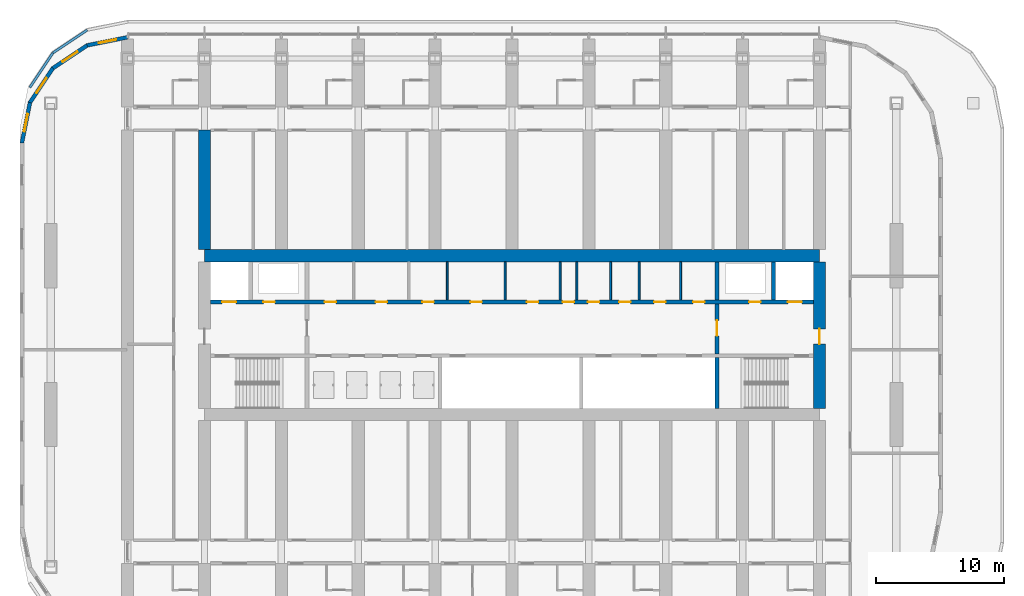
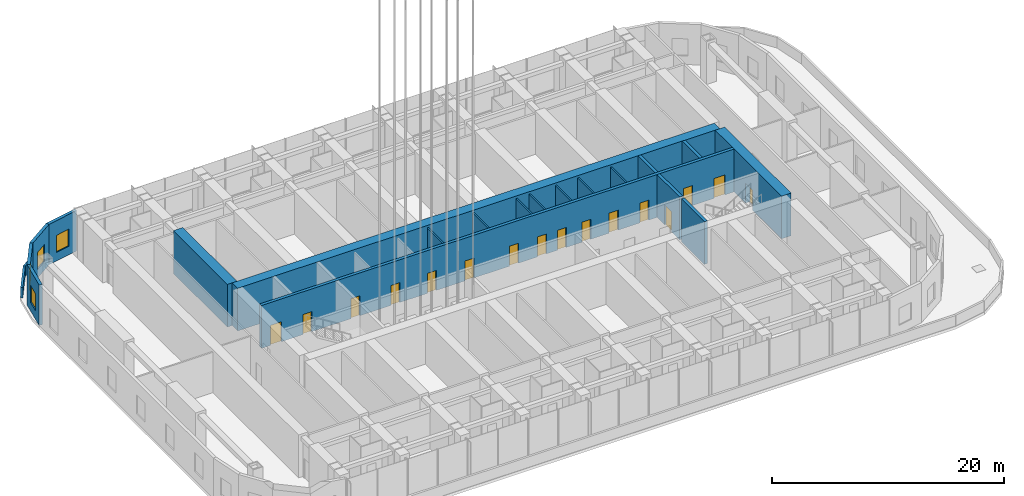
# One storey, part 12 of 31: 21 walls, 16 doors, 4 windows, 20 openings.
"""IFC4 building model written with IfcOpenShell, lengths in metres."""

from ifc_helpers import new_model, si_unit, direction, frame, frame_2d, origin, place, context, subcontext, project, spatial, polyline, rectangle, outline, extrude, material, layer, layer_set, type_object, element, fill, save


model = new_model("IFC4")

# Units and contexts
model_context = context("Model", 3, precision=1e-05, world=origin(), true_north=direction((0.0, 1.0)))
body_context = subcontext(model_context, "Body", "Model", "MODEL_VIEW")
ifc_project = project(units=[si_unit("LENGTHUNIT", "METRE"), si_unit("AREAUNIT", "SQUARE_METRE"), si_unit("VOLUMEUNIT", "CUBIC_METRE"), si_unit("PLANEANGLEUNIT", "RADIAN"), si_unit("MASSUNIT", "GRAM", prefix="KILO")], contexts=[model_context])

# Site, building, storey
site_placement = place(None, origin())
site = spatial("IfcSite", under=ifc_project, at=site_placement, CompositionType="ELEMENT")
building_placement = place(site_placement, origin())
building = spatial("IfcBuilding", under=site, at=building_placement, Name="Orbita Commons", CompositionType="ELEMENT")
storey_placement = place(building_placement, frame((0.0, 0.0, 76.14990234375)))
storey = spatial("IfcBuildingStorey", under=building, at=storey_placement, Name="L18", CompositionType="ELEMENT", Elevation=76.14990234375)

# Wall, openings, doors
ifc_material_1 = material(Name="Concrete C50/60", Category="concrete")
ifc_layer_1 = layer(ifc_material_1, 0.300048828125)
ifc_layer_set_1 = layer_set([ifc_layer_1], Name="Concrete C50/60")
wall_type_1 = type_object("IfcWallType", Name="Core inner wall 300 C50/60", PredefinedType="SHEAR", material=ifc_layer_set_1)
wall_1_placement = place(storey_placement, frame((18.47509765625, 34.60009765625, 0.0), z_axis=(0.0, 0.0, 1.0), x_axis=(1.0, 0.0, 0.0)))
wall_1 = element("IfcWall", 1, at=wall_1_placement, inside=storey, type_object=wall_type_1, Name="Lobby wall north L18", PredefinedType="SHEAR", context=body_context, shape_type="SweptSolid", body=[
    extrude(rectangle(XDim=47.0498046875, YDim=0.300048828125, at=frame_2d((23.52490234375, 0.0))), origin(), (0.0, 0.0, 1.0), 4.5),
])
opening_1_placement = place(wall_1_placement, frame((0.89990234375, 0.0, 0.0)))
opening_1 = element("IfcOpeningElement", 2, at=opening_1_placement, cuts=wall_1, Name="Opening LD01", PredefinedType="OPENING", context=body_context, shape_type="SweptSolid", body=[
    extrude(rectangle(XDim=1.10009765625, YDim=2.10009765625, at=frame_2d((0.550048828125, 1.050048828125))), frame((0.0, 0.159912109375, 0.0), z_axis=(0.0, -1.0, 0.0), x_axis=(1.0, 0.0, 0.0)), (0.0, 0.0, 1.0), 0.320068359375),
])
opening_2_placement = place(wall_1_placement, frame((45.050048828125, 0.0, 0.0)))
opening_2 = element("IfcOpeningElement", 3, at=opening_2_placement, cuts=wall_1, Name="Opening LD01", PredefinedType="OPENING", context=body_context, shape_type="SweptSolid", body=[
    extrude(rectangle(XDim=1.10009765625, YDim=2.10009765625, at=frame_2d((0.550048828125, 1.050048828125))), frame((0.0, 0.159912109375, 0.0), z_axis=(0.0, -1.0, 0.0), x_axis=(1.0, 0.0, 0.0)), (0.0, 0.0, 1.0), 0.320068359375),
])
opening_3_placement = place(wall_1_placement, frame((4.125, 0.0, 0.0)))
opening_3 = element("IfcOpeningElement", 4, at=opening_3_placement, cuts=wall_1, Name="Opening D03", PredefinedType="OPENING", context=body_context, shape_type="SweptSolid", body=[
    extrude(rectangle(XDim=0.89990234375, YDim=2.10009765625, at=frame_2d((0.449951171875, 1.050048828125))), frame((0.0, 0.159912109375, 0.0), z_axis=(0.0, -1.0, 0.0), x_axis=(1.0, 0.0, 0.0)), (0.0, 0.0, 1.0), 0.320068359375),
])
opening_4_placement = place(wall_1_placement, frame((42.02490234375, 0.0, 0.0)))
opening_4 = element("IfcOpeningElement", 5, at=opening_4_placement, cuts=wall_1, Name="Opening D03", PredefinedType="OPENING", context=body_context, shape_type="SweptSolid", body=[
    extrude(rectangle(XDim=0.89990234375, YDim=2.10009765625, at=frame_2d((0.449951171875, 1.050048828125))), frame((0.0, 0.159912109375, 0.0), z_axis=(0.0, -1.0, 0.0), x_axis=(1.0, 0.0, 0.0)), (0.0, 0.0, 1.0), 0.320068359375),
])
opening_5_placement = place(wall_1_placement, frame((8.900390625, 0.0, 0.0)))
opening_5 = element("IfcOpeningElement", 6, at=opening_5_placement, cuts=wall_1, Name="Opening D03", PredefinedType="OPENING", context=body_context, shape_type="SweptSolid", body=[
    extrude(rectangle(XDim=0.89990234375, YDim=2.10009765625, at=frame_2d((0.449951171875, 1.050048828125))), frame((0.0, 0.159912109375, 0.0), z_axis=(0.0, -1.0, 0.0), x_axis=(1.0, 0.0, 0.0)), (0.0, 0.0, 1.0), 0.320068359375),
])
opening_6_placement = place(wall_1_placement, frame((12.873779296875, 0.0, 0.0)))
opening_6 = element("IfcOpeningElement", 7, at=opening_6_placement, cuts=wall_1, Name="Opening D03", PredefinedType="OPENING", context=body_context, shape_type="SweptSolid", body=[
    extrude(rectangle(XDim=0.89990234375, YDim=2.10009765625, at=frame_2d((0.449951171875, 1.050048828125))), frame((0.0, 0.159912109375, 0.0), z_axis=(0.0, -1.0, 0.0), x_axis=(1.0, 0.0, 0.0)), (0.0, 0.0, 1.0), 0.320068359375),
])
opening_7_placement = place(wall_1_placement, frame((16.521240234375, 0.0, 0.0)))
opening_7 = element("IfcOpeningElement", 8, at=opening_7_placement, cuts=wall_1, Name="Opening D03", PredefinedType="OPENING", context=body_context, shape_type="SweptSolid", body=[
    extrude(rectangle(XDim=0.89990234375, YDim=2.10009765625, at=frame_2d((0.449951171875, 1.050048828125))), frame((0.0, 0.159912109375, 0.0), z_axis=(0.0, -1.0, 0.0), x_axis=(1.0, 0.0, 0.0)), (0.0, 0.0, 1.0), 0.320068359375),
])
opening_8_placement = place(wall_1_placement, frame((20.27978515625, 0.0, 0.0)))
opening_8 = element("IfcOpeningElement", 9, at=opening_8_placement, cuts=wall_1, Name="Opening D03", PredefinedType="OPENING", context=body_context, shape_type="SweptSolid", body=[
    extrude(rectangle(XDim=0.89990234375, YDim=2.10009765625, at=frame_2d((0.449951171875, 1.050048828125))), frame((0.0, 0.159912109375, 0.0), z_axis=(0.0, -1.0, 0.0), x_axis=(1.0, 0.0, 0.0)), (0.0, 0.0, 1.0), 0.320068359375),
])
opening_9_placement = place(wall_1_placement, frame((24.685791015625, 0.0, 0.0)))
opening_9 = element("IfcOpeningElement", 10, at=opening_9_placement, cuts=wall_1, Name="Opening D03", PredefinedType="OPENING", context=body_context, shape_type="SweptSolid", body=[
    extrude(rectangle(XDim=0.89990234375, YDim=2.10009765625, at=frame_2d((0.449951171875, 1.050048828125))), frame((0.0, 0.159912109375, 0.0), z_axis=(0.0, -1.0, 0.0), x_axis=(1.0, 0.0, 0.0)), (0.0, 0.0, 1.0), 0.320068359375),
])
opening_10_placement = place(wall_1_placement, frame((27.4833984375, 0.0, 0.0)))
opening_10 = element("IfcOpeningElement", 11, at=opening_10_placement, cuts=wall_1, Name="Opening D03", PredefinedType="OPENING", context=body_context, shape_type="SweptSolid", body=[
    extrude(rectangle(XDim=0.89990234375, YDim=2.10009765625, at=frame_2d((0.449951171875, 1.050048828125))), frame((0.0, 0.159912109375, 0.0), z_axis=(0.0, -1.0, 0.0), x_axis=(1.0, 0.0, 0.0)), (0.0, 0.0, 1.0), 0.320068359375),
])
opening_11_placement = place(wall_1_placement, frame((29.450439453125, 0.0, 0.0)))
opening_11 = element("IfcOpeningElement", 12, at=opening_11_placement, cuts=wall_1, Name="Opening D05", PredefinedType="OPENING", context=body_context, shape_type="SweptSolid", body=[
    extrude(rectangle(XDim=0.89990234375, YDim=2.10009765625, at=frame_2d((0.449951171875, 1.050048828125))), frame((0.0, 0.159912109375, 0.0), z_axis=(0.0, -1.0, 0.0), x_axis=(1.0, 0.0, 0.0)), (0.0, 0.0, 1.0), 0.320068359375),
])
opening_12_placement = place(wall_1_placement, frame((31.8818359375, 0.0, 0.0)))
opening_12 = element("IfcOpeningElement", 13, at=opening_12_placement, cuts=wall_1, Name="Opening D05", PredefinedType="OPENING", context=body_context, shape_type="SweptSolid", body=[
    extrude(rectangle(XDim=0.89990234375, YDim=2.10009765625, at=frame_2d((0.449951171875, 1.050048828125))), frame((0.0, 0.159912109375, 0.0), z_axis=(0.0, -1.0, 0.0), x_axis=(1.0, 0.0, 0.0)), (0.0, 0.0, 1.0), 0.320068359375),
])
opening_13_placement = place(wall_1_placement, frame((34.6171875, 0.0, 0.0)))
opening_13 = element("IfcOpeningElement", 14, at=opening_13_placement, cuts=wall_1, Name="Opening D05", PredefinedType="OPENING", context=body_context, shape_type="SweptSolid", body=[
    extrude(rectangle(XDim=0.89990234375, YDim=2.10009765625, at=frame_2d((0.449951171875, 1.050048828125))), frame((0.0, 0.159912109375, 0.0), z_axis=(0.0, -1.0, 0.0), x_axis=(1.0, 0.0, 0.0)), (0.0, 0.0, 1.0), 0.320068359375),
])
opening_14_placement = place(wall_1_placement, frame((37.656494140625, 0.0, 0.0)))
opening_14 = element("IfcOpeningElement", 15, at=opening_14_placement, cuts=wall_1, Name="Opening D03", PredefinedType="OPENING", context=body_context, shape_type="SweptSolid", body=[
    extrude(rectangle(XDim=0.89990234375, YDim=2.10009765625, at=frame_2d((0.449951171875, 1.050048828125))), frame((0.0, 0.159912109375, 0.0), z_axis=(0.0, -1.0, 0.0), x_axis=(1.0, 0.0, 0.0)), (0.0, 0.0, 1.0), 0.320068359375),
])
ifc_material_2 = material(Name="Steel-faced fire door leaf", Category="steel")
door_type_1 = type_object("IfcDoorType", Name="Firefighting lift landing door 1100x2100", OperationType="DOUBLE_DOOR_SLIDING", PredefinedType="DOOR", material=ifc_material_2)
door_1_placement = place(opening_1_placement, origin())
door_1 = element("IfcDoor", 16, at=door_1_placement, inside=storey, type_object=door_type_1, Name="Firefighting lift FL1 landing door", OperationType="DOUBLE_DOOR_SLIDING", OverallHeight=2.10009765625, OverallWidth=1.10009765625, PredefinedType="DOOR", context=body_context, shape_type="SweptSolid", body=[
    extrude(rectangle(XDim=1.10009765625, YDim=2.10009765625, at=frame_2d((0.550048828125, 1.050048828125))), frame((0.0, 0.02490234375, 0.0), z_axis=(0.0, -1.0, 0.0), x_axis=(1.0, 0.0, 0.0)), (0.0, 0.0, 1.0), 0.050048828125),
])
fill(opening_1, door_1)
door_2_placement = place(opening_2_placement, origin())
door_2 = element("IfcDoor", 17, at=door_2_placement, inside=storey, type_object=door_type_1, Name="Firefighting lift FL2 landing door", OperationType="DOUBLE_DOOR_SLIDING", OverallHeight=2.10009765625, OverallWidth=1.10009765625, PredefinedType="DOOR", context=body_context, shape_type="SweptSolid", body=[
    extrude(rectangle(XDim=1.10009765625, YDim=2.10009765625, at=frame_2d((0.550048828125, 1.050048828125))), frame((0.0, 0.02490234375, 0.0), z_axis=(0.0, -1.0, 0.0), x_axis=(1.0, 0.0, 0.0)), (0.0, 0.0, 1.0), 0.050048828125),
])
fill(opening_2, door_2)
ifc_material_3 = material(Name="Steel-faced fire door leaf", Category="steel")
door_type_2 = type_object("IfcDoorType", Name="Service door 20 min 900x2100", OperationType="SINGLE_SWING_LEFT", PredefinedType="DOOR", material=ifc_material_3)
door_3_placement = place(opening_11_placement, origin())
door_3 = element("IfcDoor", 18, at=door_3_placement, inside=storey, type_object=door_type_2, Name="Accessible WC door", OperationType="SINGLE_SWING_LEFT", OverallHeight=2.10009765625, OverallWidth=0.89990234375, PredefinedType="DOOR", context=body_context, shape_type="SweptSolid", body=[
    extrude(rectangle(XDim=0.89990234375, YDim=2.10009765625, at=frame_2d((0.449951171875, 1.050048828125))), frame((0.0, 0.02490234375, 0.0), z_axis=(0.0, -1.0, 0.0), x_axis=(1.0, 0.0, 0.0)), (0.0, 0.0, 1.0), 0.050048828125),
])
fill(opening_11, door_3)
door_4_placement = place(opening_12_placement, origin())
door_4 = element("IfcDoor", 19, at=door_4_placement, inside=storey, type_object=door_type_2, Name="Staff WC door", OperationType="SINGLE_SWING_LEFT", OverallHeight=2.10009765625, OverallWidth=0.89990234375, PredefinedType="DOOR", context=body_context, shape_type="SweptSolid", body=[
    extrude(rectangle(XDim=0.89990234375, YDim=2.10009765625, at=frame_2d((0.449951171875, 1.050048828125))), frame((0.0, 0.02490234375, 0.0), z_axis=(0.0, -1.0, 0.0), x_axis=(1.0, 0.0, 0.0)), (0.0, 0.0, 1.0), 0.050048828125),
])
fill(opening_12, door_4)
door_5_placement = place(opening_13_placement, origin())
door_5 = element("IfcDoor", 20, at=door_5_placement, inside=storey, type_object=door_type_2, Name="Guest pantry door", OperationType="SINGLE_SWING_LEFT", OverallHeight=2.10009765625, OverallWidth=0.89990234375, PredefinedType="DOOR", context=body_context, shape_type="SweptSolid", body=[
    extrude(rectangle(XDim=0.89990234375, YDim=2.10009765625, at=frame_2d((0.449951171875, 1.050048828125))), frame((0.0, 0.02490234375, 0.0), z_axis=(0.0, -1.0, 0.0), x_axis=(1.0, 0.0, 0.0)), (0.0, 0.0, 1.0), 0.050048828125),
])
fill(opening_13, door_5)
ifc_material_4 = material(Name="Steel-faced fire door leaf", Category="steel")
door_type_3 = type_object("IfcDoorType", Name="Shaft access door 90 min 900x2100", OperationType="SINGLE_SWING_LEFT", PredefinedType="DOOR", material=ifc_material_4)
door_6_placement = place(opening_3_placement, origin())
door_6 = element("IfcDoor", 21, at=door_6_placement, inside=storey, type_object=door_type_3, Name="Riser door west", OperationType="SINGLE_SWING_LEFT", OverallHeight=2.10009765625, OverallWidth=0.89990234375, PredefinedType="DOOR", context=body_context, shape_type="SweptSolid", body=[
    extrude(rectangle(XDim=0.89990234375, YDim=2.10009765625, at=frame_2d((0.449951171875, 1.050048828125))), frame((0.0, 0.02490234375, 0.0), z_axis=(0.0, -1.0, 0.0), x_axis=(1.0, 0.0, 0.0)), (0.0, 0.0, 1.0), 0.050048828125),
])
fill(opening_3, door_6)
door_7_placement = place(opening_4_placement, origin())
door_7 = element("IfcDoor", 22, at=door_7_placement, inside=storey, type_object=door_type_3, Name="Riser door east", OperationType="SINGLE_SWING_LEFT", OverallHeight=2.10009765625, OverallWidth=0.89990234375, PredefinedType="DOOR", context=body_context, shape_type="SweptSolid", body=[
    extrude(rectangle(XDim=0.89990234375, YDim=2.10009765625, at=frame_2d((0.449951171875, 1.050048828125))), frame((0.0, 0.02490234375, 0.0), z_axis=(0.0, -1.0, 0.0), x_axis=(1.0, 0.0, 0.0)), (0.0, 0.0, 1.0), 0.050048828125),
])
fill(opening_4, door_7)
door_8_placement = place(opening_5_placement, origin())
door_8 = element("IfcDoor", 23, at=door_8_placement, inside=storey, type_object=door_type_3, Name="Cleaners store door", OperationType="SINGLE_SWING_LEFT", OverallHeight=2.10009765625, OverallWidth=0.89990234375, PredefinedType="DOOR", context=body_context, shape_type="SweptSolid", body=[
    extrude(rectangle(XDim=0.89990234375, YDim=2.10009765625, at=frame_2d((0.449951171875, 1.050048828125))), frame((0.0, 0.02490234375, 0.0), z_axis=(0.0, -1.0, 0.0), x_axis=(1.0, 0.0, 0.0)), (0.0, 0.0, 1.0), 0.050048828125),
])
fill(opening_5, door_8)
door_9_placement = place(opening_6_placement, origin())
door_9 = element("IfcDoor", 24, at=door_9_placement, inside=storey, type_object=door_type_3, Name="Refuse chute room door", OperationType="SINGLE_SWING_LEFT", OverallHeight=2.10009765625, OverallWidth=0.89990234375, PredefinedType="DOOR", context=body_context, shape_type="SweptSolid", body=[
    extrude(rectangle(XDim=0.89990234375, YDim=2.10009765625, at=frame_2d((0.449951171875, 1.050048828125))), frame((0.0, 0.02490234375, 0.0), z_axis=(0.0, -1.0, 0.0), x_axis=(1.0, 0.0, 0.0)), (0.0, 0.0, 1.0), 0.050048828125),
])
fill(opening_6, door_9)
door_10_placement = place(opening_7_placement, origin())
door_10 = element("IfcDoor", 25, at=door_10_placement, inside=storey, type_object=door_type_3, Name="Electrical riser room door", OperationType="SINGLE_SWING_LEFT", OverallHeight=2.10009765625, OverallWidth=0.89990234375, PredefinedType="DOOR", context=body_context, shape_type="SweptSolid", body=[
    extrude(rectangle(XDim=0.89990234375, YDim=2.10009765625, at=frame_2d((0.449951171875, 1.050048828125))), frame((0.0, 0.02490234375, 0.0), z_axis=(0.0, -1.0, 0.0), x_axis=(1.0, 0.0, 0.0)), (0.0, 0.0, 1.0), 0.050048828125),
])
fill(opening_7, door_10)
door_11_placement = place(opening_8_placement, origin())
door_11 = element("IfcDoor", 26, at=door_11_placement, inside=storey, type_object=door_type_3, Name="IT room door", OperationType="SINGLE_SWING_LEFT", OverallHeight=2.10009765625, OverallWidth=0.89990234375, PredefinedType="DOOR", context=body_context, shape_type="SweptSolid", body=[
    extrude(rectangle(XDim=0.89990234375, YDim=2.10009765625, at=frame_2d((0.449951171875, 1.050048828125))), frame((0.0, 0.02490234375, 0.0), z_axis=(0.0, -1.0, 0.0), x_axis=(1.0, 0.0, 0.0)), (0.0, 0.0, 1.0), 0.050048828125),
])
fill(opening_8, door_11)
door_12_placement = place(opening_9_placement, origin())
door_12 = element("IfcDoor", 27, at=door_12_placement, inside=storey, type_object=door_type_3, Name="Communications room door", OperationType="SINGLE_SWING_LEFT", OverallHeight=2.10009765625, OverallWidth=0.89990234375, PredefinedType="DOOR", context=body_context, shape_type="SweptSolid", body=[
    extrude(rectangle(XDim=0.89990234375, YDim=2.10009765625, at=frame_2d((0.449951171875, 1.050048828125))), frame((0.0, 0.02490234375, 0.0), z_axis=(0.0, -1.0, 0.0), x_axis=(1.0, 0.0, 0.0)), (0.0, 0.0, 1.0), 0.050048828125),
])
fill(opening_9, door_12)
door_13_placement = place(opening_10_placement, origin())
door_13 = element("IfcDoor", 28, at=door_13_placement, inside=storey, type_object=door_type_3, Name="Stair pressurisation duct door", OperationType="SINGLE_SWING_LEFT", OverallHeight=2.10009765625, OverallWidth=0.89990234375, PredefinedType="DOOR", context=body_context, shape_type="SweptSolid", body=[
    extrude(rectangle(XDim=0.89990234375, YDim=2.10009765625, at=frame_2d((0.449951171875, 1.050048828125))), frame((0.0, 0.02490234375, 0.0), z_axis=(0.0, -1.0, 0.0), x_axis=(1.0, 0.0, 0.0)), (0.0, 0.0, 1.0), 0.050048828125),
])
fill(opening_10, door_13)
door_14_placement = place(opening_14_placement, origin())
door_14 = element("IfcDoor", 29, at=door_14_placement, inside=storey, type_object=door_type_3, Name="Linen store door", OperationType="SINGLE_SWING_LEFT", OverallHeight=2.10009765625, OverallWidth=0.89990234375, PredefinedType="DOOR", context=body_context, shape_type="SweptSolid", body=[
    extrude(rectangle(XDim=0.89990234375, YDim=2.10009765625, at=frame_2d((0.449951171875, 1.050048828125))), frame((0.0, 0.02490234375, 0.0), z_axis=(0.0, -1.0, 0.0), x_axis=(1.0, 0.0, 0.0)), (0.0, 0.0, 1.0), 0.050048828125),
])
fill(opening_14, door_14)

# Wall
wall_2_placement = place(storey_placement, frame((58.0, 26.27490234375, 0.0), z_axis=(0.0, 0.0, 1.0), x_axis=(0.0, 1.0, 0.0)))
element("IfcWall", 30, at=wall_2_placement, inside=storey, type_object=wall_type_1, Name="Stair S2 wall L18", PredefinedType="SHEAR", context=body_context, shape_type="SweptSolid", body=[
    extrude(rectangle(XDim=3.97509765625, YDim=0.300048828125, at=frame_2d((1.987548828125, 0.0))), origin(), (0.0, 0.0, 1.0), 4.5),
])

# Wall, opening, door
wall_3_placement = place(storey_placement, frame((58.0, 30.550048828125, 0.0), z_axis=(0.0, 0.0, 1.0), x_axis=(0.0, 1.0, 0.0)))
wall_3 = element("IfcWall", 31, at=wall_3_placement, inside=storey, type_object=wall_type_1, Name="Firefighting lobby wall east L18", PredefinedType="SHEAR", context=body_context, shape_type="SweptSolid", body=[
    extrude(rectangle(XDim=3.89990234375, YDim=0.300048828125, at=frame_2d((1.949951171875, 0.0))), origin(), (0.0, 0.0, 1.0), 4.5),
])
opening_15_placement = place(wall_3_placement, frame((1.39990234375, 0.0, 0.0)))
opening_15 = element("IfcOpeningElement", 32, at=opening_15_placement, cuts=wall_3, Name="Opening D04", PredefinedType="OPENING", context=body_context, shape_type="SweptSolid", body=[
    extrude(rectangle(XDim=1.199951171875, YDim=2.10009765625, at=frame_2d((0.60009765625, 1.050048828125))), frame((0.0, 0.159912109375, 0.0), z_axis=(0.0, -1.0, 0.0), x_axis=(1.0, 0.0, 0.0)), (0.0, 0.0, 1.0), 0.320068359375),
])
ifc_material_5 = material(Name="Steel-faced fire door leaf", Category="steel")
door_type_4 = type_object("IfcDoorType", Name="Service door 20 min 1200x2100", OperationType="SINGLE_SWING_LEFT", PredefinedType="DOOR", material=ifc_material_5)
door_15_placement = place(opening_15_placement, origin())
door_15 = element("IfcDoor", 33, at=door_15_placement, inside=storey, type_object=door_type_4, Name="Lift lobby door east", OperationType="SINGLE_SWING_LEFT", OverallHeight=2.10009765625, OverallWidth=1.199951171875, PredefinedType="DOOR", context=body_context, shape_type="SweptSolid", body=[
    extrude(rectangle(XDim=1.199951171875, YDim=2.10009765625, at=frame_2d((0.60009765625, 1.050048828125))), frame((0.0, 0.02490234375, 0.0), z_axis=(0.0, -1.0, 0.0), x_axis=(1.0, 0.0, 0.0)), (0.0, 0.0, 1.0), 0.050048828125),
])
fill(opening_15, door_15)

# Walls
for number, where, z_axis, x_axis, name in (
    (34, (62.39990234375, 34.75, 0.0), (0.0, 0.0, 1.0), (0.0, 1.0, 0.0), "Firefighting lift FL2 shaft wall L18"),
    (35, (58.0, 34.75, 0.0), (0.0, 0.0, 1.0), (0.0, 1.0, 0.0), "Riser wall east L18"),
):
    element("IfcWall", number, at=place(storey_placement, frame(where, z_axis=z_axis, x_axis=x_axis)), inside=storey, type_object=wall_type_1, Name=name, PredefinedType="SHEAR", context=body_context, shape_type="SweptSolid", body=[
        extrude(rectangle(XDim=2.97509765625, YDim=0.300048828125, at=frame_2d((1.487548828125, 0.0))), origin(), (0.0, 0.0, 1.0), 4.5),
    ])
ifc_material_6 = material(Name="Concrete blockwork", Category="masonry")
ifc_layer_2 = layer(ifc_material_6, 0.14990234375)
ifc_layer_set_2 = layer_set([ifc_layer_2], Name="Concrete blockwork")
wall_type_2 = type_object("IfcWallType", Name="Core partition 150 blockwork", PredefinedType="SOLIDWALL", material=ifc_layer_set_2)
for number, where, z_axis, x_axis, name in (
    (36, (36.9462890625, 34.75, 0.0), (0.0, 0.0, 1.0), (0.0, 1.0, 0.0), "Core partition 150 blockwork L18"),
    (37, (41.463134765625, 34.75, 0.0), (0.0, 0.0, 1.0), (0.0, 1.0, 0.0), "Core partition 150 blockwork L18"),
    (38, (45.75830078125, 34.75, 0.0), (0.0, 0.0, 1.0), (0.0, 1.0, 0.0), "Core partition 150 blockwork L18"),
    (39, (47.058349609375, 34.75, 0.0), (0.0, 0.0, 1.0), (0.0, 1.0, 0.0), "Core partition 150 blockwork L18"),
    (40, (49.6923828125, 34.75, 0.0), (0.0, 0.0, 1.0), (0.0, 1.0, 0.0), "Core partition 150 blockwork L18"),
    (41, (51.92138671875, 34.75, 0.0), (0.0, 0.0, 1.0), (0.0, 1.0, 0.0), "Core partition 150 blockwork L18"),
    (42, (55.163330078125, 34.75, 0.0), (0.0, 0.0, 1.0), (0.0, 1.0, 0.0), "Core partition 150 blockwork L18"),
):
    element("IfcWall", number, at=place(storey_placement, frame(where, z_axis=z_axis, x_axis=x_axis)), inside=storey, type_object=wall_type_2, Name=name, PredefinedType="SOLIDWALL", context=body_context, shape_type="SweptSolid", body=[
        extrude(rectangle(XDim=2.97509765625, YDim=0.14990234375, at=frame_2d((1.487548828125, 0.0))), origin(), (0.0, 0.0, 1.0), 4.25),
    ])
ifc_material_7 = material(Name="Concrete C50/60", Category="concrete")
ifc_layer_3 = layer(ifc_material_7, 0.949951171875)
ifc_layer_set_3 = layer_set([ifc_layer_3], Name="Concrete C50/60")
wall_type_3 = type_object("IfcWallType", Name="Core wall 950 C50/60", PredefinedType="SHEAR", material=ifc_layer_set_3)
wall_4_placement = place(storey_placement, frame((18.0, 38.199951171875, 0.0), z_axis=(0.0, 0.0, 1.0), x_axis=(1.0, 0.0, 0.0)))
element("IfcWall", 43, at=wall_4_placement, inside=storey, type_object=wall_type_3, Name="Core spine wall north L18", PredefinedType="SHEAR", context=body_context, shape_type="SweptSolid", body=[
    extrude(rectangle(XDim=48.0, YDim=0.949951171875, at=frame_2d((24.0, 0.0))), origin(), (0.0, 0.0, 1.0), 4.5),
])

# Wall, opening, door
wall_5_placement = place(storey_placement, frame((66.0, 26.27490234375, 0.0), z_axis=(0.0, 0.0, 1.0), x_axis=(0.0, 1.0, 0.0)))
wall_5 = element("IfcWall", 44, at=wall_5_placement, inside=storey, type_object=wall_type_3, Name="Core end wall east L18", PredefinedType="SHEAR", context=body_context, shape_type="SweptSolid", body=[
    extrude(rectangle(XDim=11.4501953125, YDim=0.949951171875, at=frame_2d((5.72509765625, 0.0))), origin(), (0.0, 0.0, 1.0), 4.5),
])
opening_16_placement = place(wall_5_placement, frame((5.02490234375, 0.0, 0.0)))
opening_16 = element("IfcOpeningElement", 45, at=opening_16_placement, cuts=wall_5, Name="Opening D01", PredefinedType="OPENING", context=body_context, shape_type="SweptSolid", body=[
    extrude(rectangle(XDim=1.199951171875, YDim=2.10009765625, at=frame_2d((0.60009765625, 1.050048828125))), frame((0.0, 0.48486328125, 0.0), z_axis=(0.0, -1.0, 0.0), x_axis=(1.0, 0.0, 0.0)), (0.0, 0.0, 1.0), 0.969970703125),
])
ifc_material_8 = material(Name="Steel-faced fire door leaf", Category="steel")
door_type_5 = type_object("IfcDoorType", Name="Fire door 90 min 1200x2100", OperationType="SINGLE_SWING_LEFT", PredefinedType="DOOR", material=ifc_material_8)
door_16_placement = place(opening_16_placement, origin())
door_16 = element("IfcDoor", 46, at=door_16_placement, inside=storey, type_object=door_type_5, Name="Firefighting lobby east door", OperationType="SINGLE_SWING_LEFT", OverallHeight=2.10009765625, OverallWidth=1.199951171875, PredefinedType="DOOR", context=body_context, shape_type="SweptSolid", body=[
    extrude(rectangle(XDim=1.199951171875, YDim=2.10009765625, at=frame_2d((0.60009765625, 1.050048828125))), frame((0.0, 0.02490234375, 0.0), z_axis=(0.0, -1.0, 0.0), x_axis=(1.0, 0.0, 0.0)), (0.0, 0.0, 1.0), 0.050048828125),
])
fill(opening_16, door_16)

# Wall
ifc_material_9 = material(Name="Concrete C50/60", Category="concrete")
ifc_layer_4 = layer(ifc_material_9, 0.949951171875)
ifc_layer_set_4 = layer_set([ifc_layer_4], Name="Concrete C50/60")
wall_type_4 = type_object("IfcWallType", Name="Cross wall 950 C50/60", PredefinedType="SHEAR", material=ifc_layer_set_4)
wall_6_placement = place(storey_placement, frame((18.0, 38.675048828125, 0.0), z_axis=(0.0, 0.0, 1.0), x_axis=(0.0, 1.0, 0.0)))
element("IfcWall", 47, at=wall_6_placement, inside=storey, type_object=wall_type_4, Name="Cross wall 4 north inner L18", PredefinedType="SHEAR", context=body_context, shape_type="SweptSolid", body=[
    extrude(rectangle(XDim=9.324951171875, YDim=0.949951171875, at=frame_2d((4.66259765625, 0.0))), origin(), (0.0, 0.0, 1.0), 4.5),
])

# Wall, opening, window
ifc_material_10 = material(Name="Precast concrete C40/50, white board-marked finish", Category="concrete")
ifc_layer_5 = layer(ifc_material_10, 0.300048828125)
ifc_layer_set_5 = layer_set([ifc_layer_5], Name="Precast concrete C40/50, white board-marked finish")
wall_type_5 = type_object("IfcWallType", Name="Precast concrete end shield 300", PredefinedType="SOLIDWALL", material=ifc_layer_set_5)
wall_7_placement = place(storey_placement, frame((12.0, 55.25, 0.0), z_axis=(0.0, 0.0, 1.0), x_axis=(-0.980787251524, -0.195080412259, 0.0)))
wall_7 = element("IfcWall", 48, at=wall_7_placement, inside=storey, type_object=wall_type_5, Name="End shield NW chord 1 L18", PredefinedType="SOLIDWALL", context=body_context, shape_type="SweptSolid", body=[
    extrude(outline(polyline([(-0.02978515625, -0.14990234375), (3.24853515625, -0.14990234375), (3.18896484375, 0.14990234375), (0.02978515625, 0.14990234375), (-0.02978515625, -0.14990234375)])), origin(), (0.0, 0.0, 1.0), 4.25),
])
opening_17_placement = place(wall_7_placement, frame((0.909423828125, 0.0, 0.89990234375)))
opening_17 = element("IfcOpeningElement", 49, at=opening_17_placement, cuts=wall_7, Name="Opening W02", PredefinedType="OPENING", context=body_context, shape_type="SweptSolid", body=[
    extrude(rectangle(XDim=1.39990234375, YDim=1.800048828125, at=frame_2d((0.699951171875, 0.89990234375))), frame((0.0, 0.159912109375, 0.0), z_axis=(0.0, -1.0, 0.0), x_axis=(1.0, 0.0, 0.0)), (0.0, 0.0, 1.0), 0.320068359375),
])
ifc_material_11 = material(Name="Aluminium frame, clear double glazing", Category="aluminium")
window_type = type_object("IfcWindowType", Name="Deep-set window 1400x1800", PartitioningType="SINGLE_PANEL", PredefinedType="WINDOW", material=ifc_material_11)
window_1_placement = place(opening_17_placement, origin())
window_1 = element("IfcWindow", 50, at=window_1_placement, inside=storey, type_object=window_type, Name="Window L18-NW0", OverallHeight=1.800048828125, OverallWidth=1.39990234375, PartitioningType="SINGLE_PANEL", PredefinedType="WINDOW", context=body_context, shape_type="SweptSolid", body=[
    extrude(rectangle(XDim=1.39990234375, YDim=1.800048828125, at=frame_2d((0.699951171875, 0.89990234375))), frame((0.0, 0.030029296875, 0.0), z_axis=(0.0, -1.0, 0.0), x_axis=(1.0, 0.0, 0.0)), (0.0, 0.0, 1.0), 0.06005859375),
])
fill(opening_17, window_1)

wall_8_placement = place(storey_placement, frame((8.843017578125, 54.6220703125, 0.0), z_axis=(0.0, 0.0, 1.0), x_axis=(-0.831443069936, -0.555609954424, 0.0)))
wall_8 = element("IfcWall", 51, at=wall_8_placement, inside=storey, type_object=wall_type_5, Name="End shield NW chord 2 L18", PredefinedType="SOLIDWALL", context=body_context, shape_type="SweptSolid", body=[
    extrude(outline(polyline([(-0.02978515625, -0.14990234375), (3.2490234375, -0.14990234375), (3.189453125, 0.14990234375), (0.02978515625, 0.14990234375), (-0.02978515625, -0.14990234375)])), origin(), (0.0, 0.0, 1.0), 4.25),
])
opening_18_placement = place(wall_8_placement, frame((0.909423828125, 0.0, 0.89990234375)))
opening_18 = element("IfcOpeningElement", 52, at=opening_18_placement, cuts=wall_8, Name="Opening W02", PredefinedType="OPENING", context=body_context, shape_type="SweptSolid", body=[
    extrude(rectangle(XDim=1.39990234375, YDim=1.800048828125, at=frame_2d((0.699951171875, 0.89990234375))), frame((0.0, 0.159912109375, 0.0), z_axis=(0.0, -1.0, 0.0), x_axis=(1.0, 0.0, 0.0)), (0.0, 0.0, 1.0), 0.320068359375),
])
window_2_placement = place(opening_18_placement, origin())
window_2 = element("IfcWindow", 53, at=window_2_placement, inside=storey, type_object=window_type, Name="Window L18-NW1", OverallHeight=1.800048828125, OverallWidth=1.39990234375, PartitioningType="SINGLE_PANEL", PredefinedType="WINDOW", context=body_context, shape_type="SweptSolid", body=[
    extrude(rectangle(XDim=1.39990234375, YDim=1.800048828125, at=frame_2d((0.699951171875, 0.89990234375))), frame((0.0, 0.030029296875, 0.0), z_axis=(0.0, -1.0, 0.0), x_axis=(1.0, 0.0, 0.0)), (0.0, 0.0, 1.0), 0.06005859375),
])
fill(opening_18, window_2)

wall_9_placement = place(storey_placement, frame((6.16650390625, 52.83349609375, 0.0), z_axis=(0.0, 0.0, 1.0), x_axis=(-0.555609954424, -0.831443069936, 0.0)))
wall_9 = element("IfcWall", 54, at=wall_9_placement, inside=storey, type_object=wall_type_5, Name="End shield NW chord 3 L18", PredefinedType="SOLIDWALL", context=body_context, shape_type="SweptSolid", body=[
    extrude(outline(polyline([(-0.02978515625, -0.14990234375), (3.2490234375, -0.14990234375), (3.189453125, 0.14990234375), (0.02978515625, 0.14990234375), (-0.02978515625, -0.14990234375)])), origin(), (0.0, 0.0, 1.0), 4.25),
])
opening_19_placement = place(wall_9_placement, frame((0.909423828125, 0.0, 0.89990234375)))
opening_19 = element("IfcOpeningElement", 55, at=opening_19_placement, cuts=wall_9, Name="Opening W02", PredefinedType="OPENING", context=body_context, shape_type="SweptSolid", body=[
    extrude(rectangle(XDim=1.39990234375, YDim=1.800048828125, at=frame_2d((0.699951171875, 0.89990234375))), frame((0.0, 0.159912109375, 0.0), z_axis=(0.0, -1.0, 0.0), x_axis=(1.0, 0.0, 0.0)), (0.0, 0.0, 1.0), 0.320068359375),
])
window_3_placement = place(opening_19_placement, origin())
window_3 = element("IfcWindow", 56, at=window_3_placement, inside=storey, type_object=window_type, Name="Window L18-NW2", OverallHeight=1.800048828125, OverallWidth=1.39990234375, PartitioningType="SINGLE_PANEL", PredefinedType="WINDOW", context=body_context, shape_type="SweptSolid", body=[
    extrude(rectangle(XDim=1.39990234375, YDim=1.800048828125, at=frame_2d((0.699951171875, 0.89990234375))), frame((0.0, 0.030029296875, 0.0), z_axis=(0.0, -1.0, 0.0), x_axis=(1.0, 0.0, 0.0)), (0.0, 0.0, 1.0), 0.06005859375),
])
fill(opening_19, window_3)

wall_10_placement = place(storey_placement, frame((4.3779296875, 50.156982421875, 0.0), z_axis=(0.0, 0.0, 1.0), x_axis=(-0.195080412259, -0.980787251524, 0.0)))
wall_10 = element("IfcWall", 57, at=wall_10_placement, inside=storey, type_object=wall_type_5, Name="End shield NW chord 4 L18", PredefinedType="SOLIDWALL", context=body_context, shape_type="SweptSolid", body=[
    extrude(outline(polyline([(-0.02978515625, -0.14990234375), (3.233642578125, -0.14990234375), (3.203857421875, 0.14990234375), (0.02978515625, 0.14990234375), (-0.02978515625, -0.14990234375)])), origin(), (0.0, 0.0, 1.0), 4.25),
])
opening_20_placement = place(wall_10_placement, frame((0.909423828125, 0.0, 0.89990234375)))
opening_20 = element("IfcOpeningElement", 58, at=opening_20_placement, cuts=wall_10, Name="Opening W02", PredefinedType="OPENING", context=body_context, shape_type="SweptSolid", body=[
    extrude(rectangle(XDim=1.39990234375, YDim=1.800048828125, at=frame_2d((0.699951171875, 0.89990234375))), frame((0.0, 0.159912109375, 0.0), z_axis=(0.0, -1.0, 0.0), x_axis=(1.0, 0.0, 0.0)), (0.0, 0.0, 1.0), 0.320068359375),
])
window_4_placement = place(opening_20_placement, origin())
window_4 = element("IfcWindow", 59, at=window_4_placement, inside=storey, type_object=window_type, Name="Window L18-NW3", OverallHeight=1.800048828125, OverallWidth=1.39990234375, PartitioningType="SINGLE_PANEL", PredefinedType="WINDOW", context=body_context, shape_type="SweptSolid", body=[
    extrude(rectangle(XDim=1.39990234375, YDim=1.800048828125, at=frame_2d((0.699951171875, 0.89990234375))), frame((0.0, 0.030029296875, 0.0), z_axis=(0.0, -1.0, 0.0), x_axis=(1.0, 0.0, 0.0)), (0.0, 0.0, 1.0), 0.06005859375),
])
fill(opening_20, window_4)

# Walls
ifc_material_12 = material(Name="Precast concrete C40/50, white board-marked finish", Category="concrete")
ifc_layer_6 = layer(ifc_material_12, 0.199951171875)
ifc_layer_set_6 = layer_set([ifc_layer_6], Name="Precast concrete C40/50, white board-marked finish")
wall_type_6 = type_object("IfcWallType", Name="Precast parapet 200", PredefinedType="PARAPET", material=ifc_layer_set_6)
wall_11_placement = place(storey_placement, frame((4.364013671875, 51.3310546875, 0.0), z_axis=(0.0, 0.0, 1.0), x_axis=(0.555584580696, 0.831460025312, 0.0)))
element("IfcWall", 60, at=wall_11_placement, inside=storey, type_object=wall_type_6, Name="Parapet L18 1.1", PredefinedType="PARAPET", context=body_context, shape_type="SweptSolid", body=[
    extrude(rectangle(XDim=3.247802734375, YDim=0.199951171875, at=frame_2d((1.6240234375, 0.0))), origin(), (0.0, 0.0, 1.0), 1.10009765625),
])
wall_12_placement = place(storey_placement, frame((6.16845703125, 54.031494140625, 0.0), z_axis=(0.0, 0.0, 1.0), x_axis=(0.831454530953, 0.555592803191, 0.0)))
element("IfcWall", 61, at=wall_12_placement, inside=storey, type_object=wall_type_6, Name="Parapet L18 1.2", PredefinedType="PARAPET", context=body_context, shape_type="SweptSolid", body=[
    extrude(rectangle(XDim=3.218017578125, YDim=0.199951171875, at=frame_2d((1.60888671875, 0.0))), origin(), (0.0, 0.0, 1.0), 1.10009765625),
])

save(model, "model.ifc")
